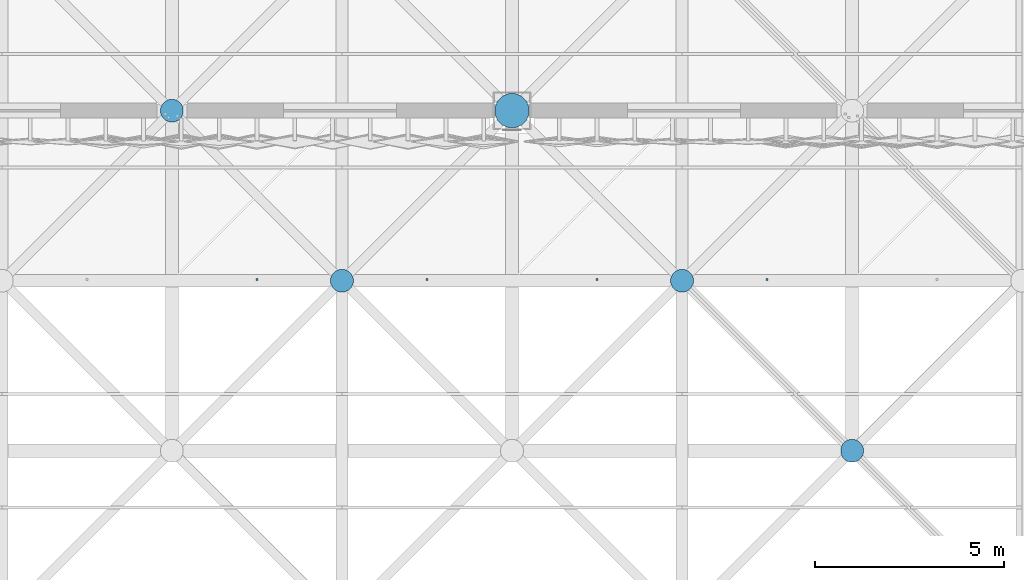
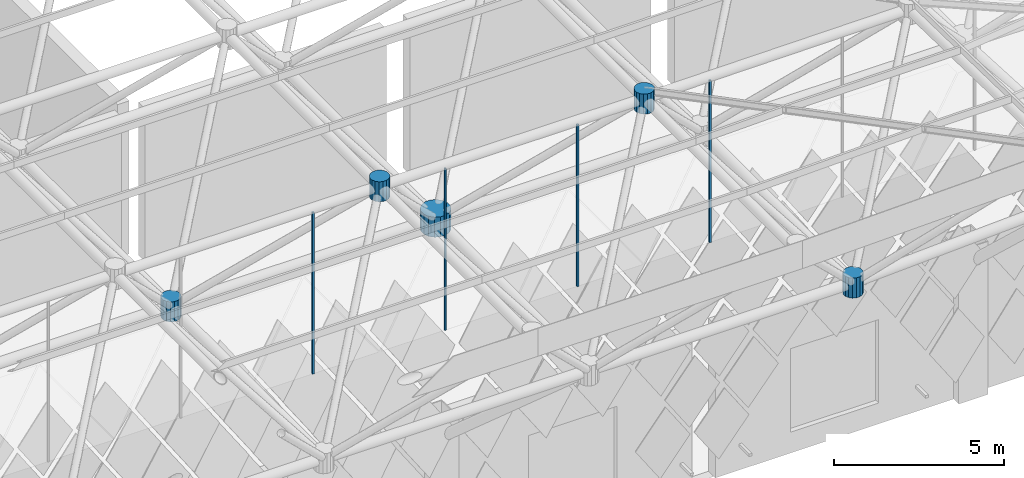
# One storey, part 303 of 437: 9 discrete accessories.
"""IFC4 building model written with IfcOpenShell, lengths in metres."""

from ifc_helpers import new_model, si_unit, direction, frame, origin, place, context, subcontext, project, spatial, polyline, outline, extrude, material, type_object, element, save


model = new_model("IFC4")

# Units and contexts
model_context = context("Model", 3, precision=1e-05, world=origin(), true_north=direction((0.0, 1.0)))
body_context = subcontext(model_context, "Body", "Model", "MODEL_VIEW")
ifc_project = project(units=[si_unit("LENGTHUNIT", "METRE"), si_unit("AREAUNIT", "SQUARE_METRE"), si_unit("VOLUMEUNIT", "CUBIC_METRE"), si_unit("PLANEANGLEUNIT", "RADIAN"), si_unit("MASSUNIT", "GRAM", prefix="KILO")], contexts=[model_context])

# Site, building, storey
site_placement = place(None, origin())
site = spatial("IfcSite", under=ifc_project, at=site_placement, CompositionType="ELEMENT")
building_placement = place(site_placement, origin())
building = spatial("IfcBuilding", under=site, at=building_placement, Name="Opaline Strait Convention Centre", CompositionType="ELEMENT")
storey_placement = place(building_placement, frame((0.0, 0.0, 11.5)))
storey = spatial("IfcBuildingStorey", under=building, at=storey_placement, Name="L02", CompositionType="ELEMENT", Elevation=11.5)

# Discrete accessories
ifc_material_1 = material(Name="Steel Q355B", Category="steel")
discrete_accessory_type_1 = type_object("IfcDiscreteAccessoryType", Name="Soffit hanger 60x60 steel", PredefinedType="BRACKET", material=ifc_material_1)
discrete_accessory_1_placement = place(storey_placement, frame((0.0, 0.0, 11.989990234375)))
element("IfcDiscreteAccessory", 1, at=discrete_accessory_1_placement, inside=storey, type_object=discrete_accessory_type_1, Name="Soffit hanger", PredefinedType="BRACKET", context=body_context, shape_type="SweptSolid", body=[
    extrude(outline(polyline([(200.219970703125, 49.5048828125), (200.280029296875, 49.5048828125), (200.280029296875, 49.56494140625), (200.219970703125, 49.56494140625), (200.219970703125, 49.5048828125)])), origin(), (0.0, 0.0, 1.0), 5.819091796875),
])
discrete_accessory_2_placement = place(storey_placement, frame((0.0, 0.0, 11.989990234375)))
element("IfcDiscreteAccessory", 2, at=discrete_accessory_2_placement, inside=storey, type_object=discrete_accessory_type_1, Name="Soffit hanger", PredefinedType="BRACKET", context=body_context, shape_type="SweptSolid", body=[
    extrude(outline(polyline([(204.719970703125, 49.5048828125), (204.780029296875, 49.5048828125), (204.780029296875, 49.56494140625), (204.719970703125, 49.56494140625), (204.719970703125, 49.5048828125)])), origin(), (0.0, 0.0, 1.0), 5.819091796875),
])
discrete_accessory_3_placement = place(storey_placement, frame((0.0, 0.0, 11.9912109375)))
element("IfcDiscreteAccessory", 3, at=discrete_accessory_3_placement, inside=storey, type_object=discrete_accessory_type_1, Name="Soffit hanger", PredefinedType="BRACKET", context=body_context, shape_type="SweptSolid", body=[
    extrude(outline(polyline([(209.219970703125, 49.5048828125), (209.280029296875, 49.5048828125), (209.280029296875, 49.56494140625), (209.219970703125, 49.56494140625), (209.219970703125, 49.5048828125)])), origin(), (0.0, 0.0, 1.0), 5.81787109375),
])
discrete_accessory_4_placement = place(storey_placement, frame((0.0, 0.0, 11.993408203125)))
element("IfcDiscreteAccessory", 4, at=discrete_accessory_4_placement, inside=storey, type_object=discrete_accessory_type_1, Name="Soffit hanger", PredefinedType="BRACKET", context=body_context, shape_type="SweptSolid", body=[
    extrude(outline(polyline([(213.719970703125, 49.5048828125), (213.780029296875, 49.5048828125), (213.780029296875, 49.56494140625), (213.719970703125, 49.56494140625), (213.719970703125, 49.5048828125)])), origin(), (0.0, 0.0, 1.0), 5.83203125),
])
ifc_material_2 = material(Name="Cast steel ZG300-500H (300 MPa)", Category="steel")
discrete_accessory_type_2 = type_object("IfcDiscreteAccessoryType", Name="Space frame bearing node hub D900", PredefinedType="USERDEFINED", material=ifc_material_2)
discrete_accessory_5_placement = place(storey_placement, frame((0.0, 0.0, 12.139892578125)))
element("IfcDiscreteAccessory", 5, at=discrete_accessory_5_placement, inside=storey, type_object=discrete_accessory_type_2, Name="Bottom node 14/2", ObjectType="NODE HUB", PredefinedType="USERDEFINED", context=body_context, shape_type="SweptSolid", body=[
    extrude(outline(polyline([(207.449951171875, 54.089599609375), (207.381591796875, 54.2548828125), (207.2548828125, 54.381591796875), (207.089599609375, 54.449951171875), (206.910400390625, 54.449951171875), (206.7451171875, 54.381591796875), (206.618408203125, 54.2548828125), (206.550048828125, 54.089599609375), (206.550048828125, 53.910400390625), (206.618408203125, 53.7451171875), (206.7451171875, 53.618408203125), (206.910400390625, 53.550048828125), (207.089599609375, 53.550048828125), (207.2548828125, 53.618408203125), (207.381591796875, 53.7451171875), (207.449951171875, 53.910400390625), (207.449951171875, 54.089599609375)])), origin(), (0.0, 0.0, 1.0), 0.72021484375),
])
discrete_accessory_type_3 = type_object("IfcDiscreteAccessoryType", Name="Space frame node hub D600", PredefinedType="USERDEFINED", material=ifc_material_2)
discrete_accessory_6_placement = place(storey_placement, frame((0.0, 0.0, 17.611572265625)))
element("IfcDiscreteAccessory", 6, at=discrete_accessory_6_placement, inside=storey, type_object=discrete_accessory_type_3, Name="Top node 14/2", ObjectType="NODE HUB", PredefinedType="USERDEFINED", context=body_context, shape_type="SweptSolid", body=[
    extrude(outline(polyline([(202.800048828125, 49.559814453125), (202.75439453125, 49.669921875), (202.669921875, 49.75439453125), (202.559814453125, 49.800048828125), (202.440185546875, 49.800048828125), (202.330078125, 49.75439453125), (202.24560546875, 49.669921875), (202.199951171875, 49.559814453125), (202.199951171875, 49.440185546875), (202.24560546875, 49.330078125), (202.330078125, 49.24560546875), (202.440185546875, 49.199951171875), (202.559814453125, 49.199951171875), (202.669921875, 49.24560546875), (202.75439453125, 49.330078125), (202.800048828125, 49.440185546875), (202.800048828125, 49.559814453125)])), origin(), (0.0, 0.0, 1.0), 0.719970703125),
])
discrete_accessory_7_placement = place(storey_placement, frame((0.0, 0.0, 17.611572265625)))
element("IfcDiscreteAccessory", 7, at=discrete_accessory_7_placement, inside=storey, type_object=discrete_accessory_type_3, Name="Top node 15/2", ObjectType="NODE HUB", PredefinedType="USERDEFINED", context=body_context, shape_type="SweptSolid", body=[
    extrude(outline(polyline([(211.800048828125, 49.559814453125), (211.75439453125, 49.669921875), (211.669921875, 49.75439453125), (211.559814453125, 49.800048828125), (211.440185546875, 49.800048828125), (211.330078125, 49.75439453125), (211.24560546875, 49.669921875), (211.199951171875, 49.559814453125), (211.199951171875, 49.440185546875), (211.24560546875, 49.330078125), (211.330078125, 49.24560546875), (211.440185546875, 49.199951171875), (211.559814453125, 49.199951171875), (211.669921875, 49.24560546875), (211.75439453125, 49.330078125), (211.800048828125, 49.440185546875), (211.800048828125, 49.559814453125)])), origin(), (0.0, 0.0, 1.0), 0.719970703125),
])
discrete_accessory_8_placement = place(storey_placement, frame((0.0, 0.0, 12.139892578125)))
element("IfcDiscreteAccessory", 8, at=discrete_accessory_8_placement, inside=storey, type_object=discrete_accessory_type_3, Name="Bottom node 13/2", ObjectType="NODE HUB", PredefinedType="USERDEFINED", context=body_context, shape_type="SweptSolid", body=[
    extrude(outline(polyline([(198.300048828125, 54.059814453125), (198.25439453125, 54.169921875), (198.169921875, 54.25439453125), (198.059814453125, 54.300048828125), (197.940185546875, 54.300048828125), (197.830078125, 54.25439453125), (197.74560546875, 54.169921875), (197.699951171875, 54.059814453125), (197.699951171875, 53.940185546875), (197.74560546875, 53.830078125), (197.830078125, 53.74560546875), (197.940185546875, 53.699951171875), (198.059814453125, 53.699951171875), (198.169921875, 53.74560546875), (198.25439453125, 53.830078125), (198.300048828125, 53.940185546875), (198.300048828125, 54.059814453125)])), origin(), (0.0, 0.0, 1.0), 0.72021484375),
])
discrete_accessory_9_placement = place(storey_placement, frame((0.0, 0.0, 12.14892578125)))
element("IfcDiscreteAccessory", 9, at=discrete_accessory_9_placement, inside=storey, type_object=discrete_accessory_type_3, Name="Bottom node 15/1", ObjectType="NODE HUB", PredefinedType="USERDEFINED", context=body_context, shape_type="SweptSolid", body=[
    extrude(outline(polyline([(216.300048828125, 45.059814453125), (216.25439453125, 45.169921875), (216.169921875, 45.25439453125), (216.059814453125, 45.300048828125), (215.940185546875, 45.300048828125), (215.830078125, 45.25439453125), (215.74560546875, 45.169921875), (215.699951171875, 45.059814453125), (215.699951171875, 44.940185546875), (215.74560546875, 44.830078125), (215.830078125, 44.74560546875), (215.940185546875, 44.699951171875), (216.059814453125, 44.699951171875), (216.169921875, 44.74560546875), (216.25439453125, 44.830078125), (216.300048828125, 44.940185546875), (216.300048828125, 45.059814453125)])), origin(), (0.0, 0.0, 1.0), 0.719970703125),
])

save(model, "model.ifc")
